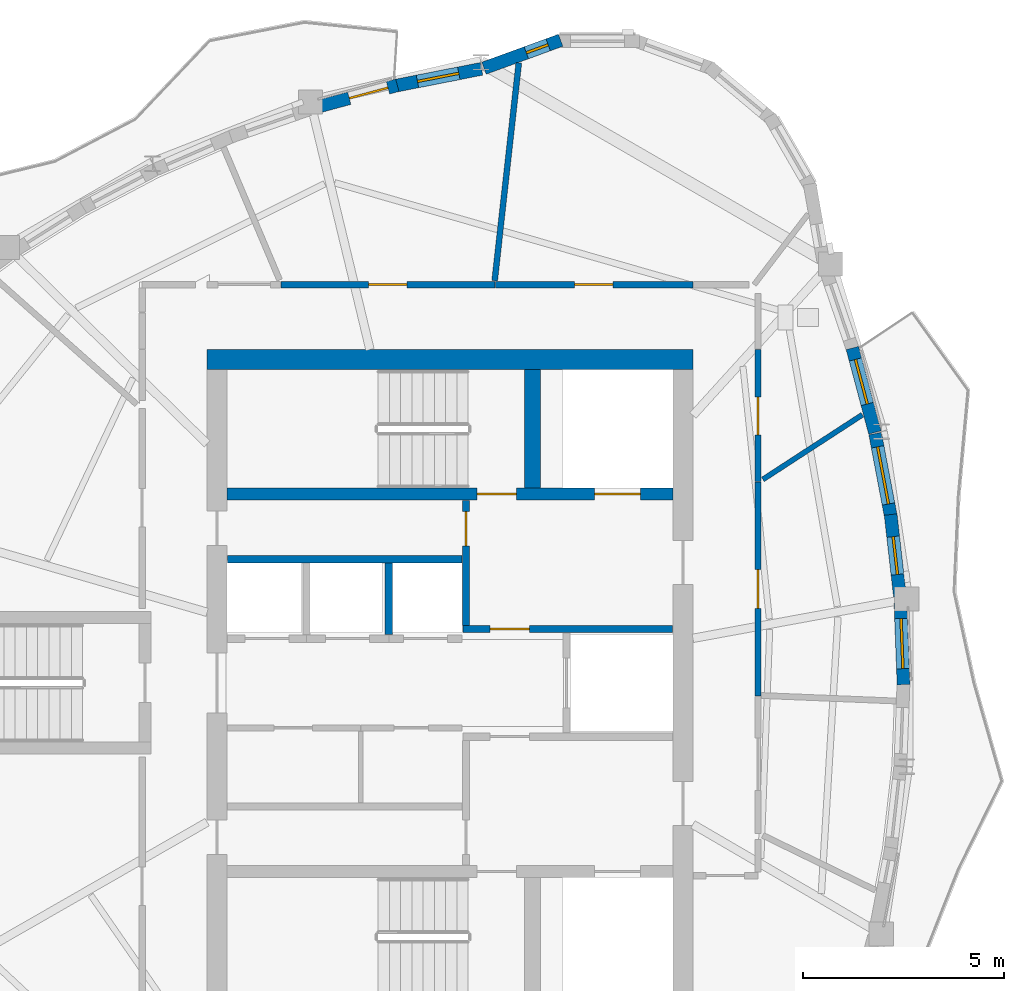
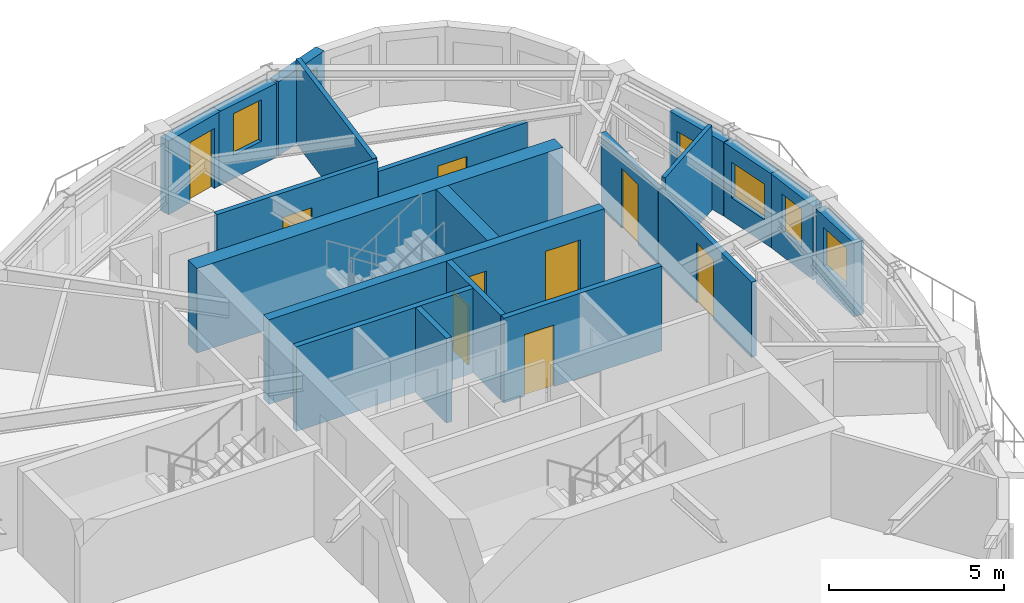
# One storey, part 6 of 11: 20 walls, 9 doors, 6 windows, 15 openings.
"""IFC4 building model written with IfcOpenShell, lengths in metres."""

from ifc_helpers import new_model, si_unit, direction, frame, frame_2d, origin, place, context, subcontext, project, spatial, rectangle, extrude, source, transform, mapped, material, layer, layer_set, type_object, element, fill, save


model = new_model("IFC4")

# Units and contexts
model_context = context("Model", 3, precision=1e-05, world=origin(), true_north=direction((0.0, 1.0)))
body_context = subcontext(model_context, "Body", "Model", "MODEL_VIEW")
ifc_project = project(units=[si_unit("LENGTHUNIT", "METRE"), si_unit("AREAUNIT", "SQUARE_METRE"), si_unit("VOLUMEUNIT", "CUBIC_METRE"), si_unit("PLANEANGLEUNIT", "RADIAN"), si_unit("MASSUNIT", "GRAM", prefix="KILO")], contexts=[model_context])

# Site, building, storey
site_placement = place(None, origin())
site = spatial("IfcSite", under=ifc_project, at=site_placement, CompositionType="ELEMENT")
building_placement = place(site_placement, origin())
building = spatial("IfcBuilding", under=site, at=building_placement, Name="Qafzar Sky-Pleat Residences", CompositionType="ELEMENT")
storey_placement = place(building_placement, frame((0.0, 0.0, 227.60009765625)))
storey = spatial("IfcBuildingStorey", under=building, at=storey_placement, Name="L68", CompositionType="ELEMENT", Elevation=227.60009765625)

# Wall, opening, door
ifc_material_1 = material(Name="Acoustic gypsum plasterboard partition", Category="gypsum")
ifc_layer_1 = layer(ifc_material_1, 0.159912109375)
ifc_layer_set_1 = layer_set([ifc_layer_1], Name="Acoustic gypsum plasterboard partition")
wall_type_1 = type_object("IfcWallType", Name="PART-COR-160", PredefinedType="PARTITIONING", material=ifc_layer_set_1)
wall_1_placement = place(storey_placement, frame((38.02001953125, 31.006103515625, 0.0), z_axis=(0.0, 0.0, 1.0), x_axis=(0.0, -1.0, 0.0)))
wall_1 = element("IfcWall", 1, at=wall_1_placement, inside=storey, type_object=wall_type_1, Name="L68 Partition Wall PART-L68-PW-002", PredefinedType="PARTITIONING", context=body_context, shape_type="SweptSolid", body=[
    extrude(rectangle(XDim=5.33203125, YDim=0.159912109375, at=frame_2d((2.666015625, 0.0))), origin(), (0.0, 0.0, 1.0), 2.6279296875),
])
opening_1_placement = place(wall_1_placement, frame((2.1875, 0.0, 0.0)))
opening_1 = element("IfcOpeningElement", 2, at=opening_1_placement, cuts=wall_1, Name="Opening ID-06", PredefinedType="OPENING", context=body_context, shape_type="SweptSolid", body=[
    extrude(rectangle(XDim=0.9599609375, YDim=2.10009765625, at=frame_2d((0.47998046875, 1.050048828125))), frame((0.0, 0.08984375, 0.0), z_axis=(0.0, -1.0, 0.0), x_axis=(1.0, 0.0, 0.0)), (0.0, 0.0, 1.0), 0.179931640625),
])
ifc_material_2 = material(Name="Timber-faced fire door", Category="wood")
door_type_1 = type_object("IfcDoorType", Name="DR-STD-960", OperationType="NOTDEFINED", PredefinedType="DOOR", material=ifc_material_2)
shared_shape_1 = source(origin(), body_context, "Body", "SweptSolid", [
    extrude(rectangle(XDim=0.9599609375, YDim=2.10009765625, at=frame_2d((0.47998046875, 1.050048828125))), frame((0.0, 0.02490234375, 0.0), z_axis=(0.0, -1.0, 0.0), x_axis=(1.0, 0.0, 0.0)), (0.0, 0.0, 1.0), 0.050048828125),
])
door_1_placement = place(opening_1_placement, origin())
door_1 = element("IfcDoor", 3, at=door_1_placement, inside=storey, type_object=door_type_1, Name="L68 Music Practice Room Door", OperationType="SINGLE_SWING_LEFT", OverallHeight=2.10009765625, OverallWidth=0.9599609375, PredefinedType="DOOR", context=body_context, shape_type="MappedRepresentation", body=[
    mapped(shared_shape_1, transform((0.0, 0.0, 0.0), x_axis=(1.0, 0.0, 0.0), y_axis=(0.0, 1.0, 0.0), z_axis=(0.0, 0.0, 1.0), scale=1.0)),
])
fill(opening_1, door_1)

wall_2_placement = place(storey_placement, frame((26.137939453125, 35.919921875, 0.0), z_axis=(0.0, 0.0, 1.0), x_axis=(1.0, 0.0, 0.0)))
wall_2 = element("IfcWall", 4, at=wall_2_placement, inside=storey, type_object=wall_type_1, Name="L68 Partition Wall PART-L68-PW-003", PredefinedType="PARTITIONING", context=body_context, shape_type="SweptSolid", body=[
    extrude(rectangle(XDim=5.328125, YDim=0.159912109375, at=frame_2d((2.6640625, 0.0))), origin(), (0.0, 0.0, 1.0), 2.9599609375),
])
opening_2_placement = place(wall_2_placement, frame((2.1845703125, 0.0, 0.0)))
opening_2 = element("IfcOpeningElement", 5, at=opening_2_placement, cuts=wall_2, Name="Opening ID-06", PredefinedType="OPENING", context=body_context, shape_type="SweptSolid", body=[
    extrude(rectangle(XDim=0.9599609375, YDim=2.10009765625, at=frame_2d((0.47998046875, 1.050048828125))), frame((0.0, 0.08984375, 0.0), z_axis=(0.0, -1.0, 0.0), x_axis=(1.0, 0.0, 0.0)), (0.0, 0.0, 1.0), 0.179931640625),
])
door_2_placement = place(opening_2_placement, origin())
door_2 = element("IfcDoor", 6, at=door_2_placement, inside=storey, type_object=door_type_1, Name="L68 Media Screening Room Door", OperationType="SINGLE_SWING_RIGHT", OverallHeight=2.10009765625, OverallWidth=0.9599609375, PredefinedType="DOOR", context=body_context, shape_type="MappedRepresentation", body=[
    mapped(shared_shape_1, transform((0.0, 0.0, 0.0), x_axis=(1.0, 0.0, 0.0), y_axis=(0.0, 1.0, 0.0), z_axis=(0.0, 0.0, 1.0), scale=1.0)),
])
fill(opening_2, door_2)

wall_3_placement = place(storey_placement, frame((31.48095703125, 35.919921875, 0.0), z_axis=(0.0, 0.0, 1.0), x_axis=(1.0, 0.0, 0.0)))
wall_3 = element("IfcWall", 7, at=wall_3_placement, inside=storey, type_object=wall_type_1, Name="L68 Partition Wall PART-L68-PW-005", PredefinedType="PARTITIONING", context=body_context, shape_type="SweptSolid", body=[
    extrude(rectangle(XDim=4.9189453125, YDim=0.159912109375, at=frame_2d((2.45947265625, 0.0))), origin(), (0.0, 0.0, 1.0), 2.597900390625),
])
opening_3_placement = place(wall_3_placement, frame((1.964599609375, 0.0, 0.0)))
opening_3 = element("IfcOpeningElement", 8, at=opening_3_placement, cuts=wall_3, Name="Opening ID-06", PredefinedType="OPENING", context=body_context, shape_type="SweptSolid", body=[
    extrude(rectangle(XDim=0.9599609375, YDim=2.10009765625, at=frame_2d((0.47998046875, 1.050048828125))), frame((0.0, 0.08984375, 0.0), z_axis=(0.0, -1.0, 0.0), x_axis=(1.0, 0.0, 0.0)), (0.0, 0.0, 1.0), 0.179931640625),
])
door_3_placement = place(opening_3_placement, origin())
door_3 = element("IfcDoor", 9, at=door_3_placement, inside=storey, type_object=door_type_1, Name="L68 Wellness Yoga Studio Door", OperationType="SINGLE_SWING_RIGHT", OverallHeight=2.10009765625, OverallWidth=0.9599609375, PredefinedType="DOOR", context=body_context, shape_type="MappedRepresentation", body=[
    mapped(shared_shape_1, transform((0.0, 0.0, 0.0), x_axis=(1.0, 0.0, 0.0), y_axis=(0.0, 1.0, 0.0), z_axis=(0.0, 0.0, 1.0), scale=1.0)),
])
fill(opening_3, door_3)

wall_4_placement = place(storey_placement, frame((38.02001953125, 34.300048828125, 0.0), z_axis=(0.0, 0.0, 1.0), x_axis=(0.0, -1.0, 0.0)))
wall_4 = element("IfcWall", 10, at=wall_4_placement, inside=storey, type_object=wall_type_1, Name="L68 Partition Wall PART-L68-PW-007", PredefinedType="PARTITIONING", context=body_context, shape_type="SweptSolid", body=[
    extrude(rectangle(XDim=3.279052734375, YDim=0.159912109375, at=frame_2d((1.6396484375, 0.0))), origin(), (0.0, 0.0, 1.0), 2.6279296875),
])
opening_4_placement = place(wall_4_placement, frame((1.180908203125, 0.0, 0.0)))
opening_4 = element("IfcOpeningElement", 11, at=opening_4_placement, cuts=wall_4, Name="Opening ID-08", PredefinedType="OPENING", context=body_context, shape_type="SweptSolid", body=[
    extrude(rectangle(XDim=0.949951171875, YDim=2.10009765625, at=frame_2d((0.47509765625, 1.050048828125))), frame((0.0, 0.08984375, 0.0), z_axis=(0.0, -1.0, 0.0), x_axis=(1.0, 0.0, 0.0)), (0.0, 0.0, 1.0), 0.179931640625),
])
door_type_2 = type_object("IfcDoorType", Name="DR-AWC-950", OperationType="NOTDEFINED", PredefinedType="DOOR", material=ifc_material_2)
shared_shape_2 = source(origin(), body_context, "Body", "SweptSolid", [
    extrude(rectangle(XDim=0.949951171875, YDim=2.10009765625, at=frame_2d((0.47509765625, 1.050048828125))), frame((0.0, 0.02490234375, 0.0), z_axis=(0.0, -1.0, 0.0), x_axis=(1.0, 0.0, 0.0)), (0.0, 0.0, 1.0), 0.050048828125),
])
door_4_placement = place(opening_4_placement, origin())
door_4 = element("IfcDoor", 12, at=door_4_placement, inside=storey, type_object=door_type_2, Name="L68 Accessible Shared Washroom Door", OperationType="SINGLE_SWING_LEFT", OverallHeight=2.10009765625, OverallWidth=0.949951171875, PredefinedType="DOOR", context=body_context, shape_type="MappedRepresentation", body=[
    mapped(shared_shape_2, transform((0.0, 0.0, 0.0), x_axis=(1.0, 0.0, 0.0), y_axis=(0.0, 1.0, 0.0), z_axis=(0.0, 0.0, 1.0), scale=1.0)),
])
fill(opening_4, door_4)

ifc_material_3 = material(Name="Concrete blockwork partition", Category="masonry")
ifc_layer_2 = layer(ifc_material_3, 0.179931640625)
ifc_layer_set_2 = layer_set([ifc_layer_2], Name="Concrete blockwork partition")
wall_type_2 = type_object("IfcWallType", Name="PART-SHAFT-180", PredefinedType="PARTITIONING", material=ifc_layer_set_2)
wall_5_placement = place(storey_placement, frame((30.75, 27.429931640625, 0.0), z_axis=(0.0, 0.0, 1.0), x_axis=(0.0, 1.0, 0.0)))
wall_5 = element("IfcWall", 13, at=wall_5_placement, inside=storey, type_object=wall_type_2, Name="L68 Partition Wall PART-L68-FFL2-W", PredefinedType="PARTITIONING", context=body_context, shape_type="SweptSolid", body=[
    extrude(rectangle(XDim=3.110107421875, YDim=0.179931640625, at=frame_2d((1.55517578125, 0.0))), origin(), (0.0, 0.0, 1.0), 2.9599609375),
])
opening_5_placement = place(wall_5_placement, frame((1.97998046875, 0.0, 0.0)))
opening_5 = element("IfcOpeningElement", 14, at=opening_5_placement, cuts=wall_5, Name="Opening ID-09", PredefinedType="OPENING", context=body_context, shape_type="SweptSolid", body=[
    extrude(rectangle(XDim=0.860107421875, YDim=2.050048828125, at=frame_2d((0.43017578125, 1.02490234375))), frame((0.0, 0.10009765625, 0.0), z_axis=(0.0, -1.0, 0.0), x_axis=(1.0, 0.0, 0.0)), (0.0, 0.0, 1.0), 0.199951171875),
])
door_type_3 = type_object("IfcDoorType", Name="DR-SVC-860", OperationType="NOTDEFINED", PredefinedType="DOOR", material=ifc_material_2)
shared_shape_3 = source(origin(), body_context, "Body", "SweptSolid", [
    extrude(rectangle(XDim=0.860107421875, YDim=2.050048828125, at=frame_2d((0.43017578125, 1.02490234375))), frame((0.0, 0.02490234375, 0.0), z_axis=(0.0, -1.0, 0.0), x_axis=(1.0, 0.0, 0.0)), (0.0, 0.0, 1.0), 0.050048828125),
])
door_5_placement = place(opening_5_placement, origin())
door_5 = element("IfcDoor", 15, at=door_5_placement, inside=storey, type_object=door_type_3, Name="L68 North Core Cupboard Door", OperationType="SINGLE_SWING_RIGHT", OverallHeight=2.050048828125, OverallWidth=0.860107421875, PredefinedType="DOOR", context=body_context, shape_type="MappedRepresentation", body=[
    mapped(shared_shape_3, transform((0.0, 0.0, 0.0), x_axis=(1.0, 0.0, 0.0), y_axis=(0.0, 1.0, 0.0), z_axis=(0.0, 0.0, 1.0), scale=1.0)),
])
fill(opening_5, door_5)

wall_6_placement = place(storey_placement, frame((30.669921875, 27.340087890625, 0.0), z_axis=(0.0, 0.0, 1.0), x_axis=(1.0, 0.0, 0.0)))
wall_6 = element("IfcWall", 16, at=wall_6_placement, inside=storey, type_object=wall_type_2, Name="L68 Partition Wall PART-L68-FFL2-S", PredefinedType="PARTITIONING", context=body_context, shape_type="SweptSolid", body=[
    extrude(rectangle(XDim=5.219970703125, YDim=0.179931640625, at=frame_2d((2.60986328125, 0.0))), origin(), (0.0, 0.0, 1.0), 2.9599609375),
])
opening_6_placement = place(wall_6_placement, frame((0.679931640625, 0.0, 0.0)))
opening_6 = element("IfcOpeningElement", 17, at=opening_6_placement, cuts=wall_6, Name="Opening ID-01", PredefinedType="OPENING", context=body_context, shape_type="SweptSolid", body=[
    extrude(rectangle(XDim=0.97998046875, YDim=2.14990234375, at=frame_2d((0.489990234375, 1.074951171875))), frame((0.0, 0.10009765625, 0.0), z_axis=(0.0, -1.0, 0.0), x_axis=(1.0, 0.0, 0.0)), (0.0, 0.0, 1.0), 0.199951171875),
])
door_type_4 = type_object("IfcDoorType", Name="DR-STAIR-980", OperationType="NOTDEFINED", PredefinedType="DOOR", material=ifc_material_2)
shared_shape_4 = source(origin(), body_context, "Body", "SweptSolid", [
    extrude(rectangle(XDim=0.97998046875, YDim=2.14990234375, at=frame_2d((0.489990234375, 1.074951171875))), frame((0.0, 0.02490234375, 0.0), z_axis=(0.0, -1.0, 0.0), x_axis=(1.0, 0.0, 0.0)), (0.0, 0.0, 1.0), 0.050048828125),
])
door_6_placement = place(opening_6_placement, origin())
door_6 = element("IfcDoor", 18, at=door_6_placement, inside=storey, type_object=door_type_4, Name="L68 Lift Lobby to North Firefighting Lobby Door", OperationType="SINGLE_SWING_LEFT", OverallHeight=2.14990234375, OverallWidth=0.97998046875, PredefinedType="DOOR", context=body_context, shape_type="MappedRepresentation", body=[
    mapped(shared_shape_4, transform((0.0, 0.0, 0.0), x_axis=(1.0, 0.0, 0.0), y_axis=(0.0, 1.0, 0.0), z_axis=(0.0, 0.0, 1.0), scale=1.0)),
])
fill(opening_6, door_6)

# Walls
wall_7_placement = place(storey_placement, frame((24.81005859375, 29.080078125, 0.0), z_axis=(0.0, 0.0, 1.0), x_axis=(1.0, 0.0, 0.0)))
element("IfcWall", 19, at=wall_7_placement, inside=storey, type_object=wall_type_2, Name="L68 Partition Wall PART-L68-P46-N", PredefinedType="PARTITIONING", context=body_context, shape_type="SweptSolid", body=[
    extrude(rectangle(XDim=5.83984375, YDim=0.179931640625, at=frame_2d((2.919921875, 0.0))), origin(), (0.0, 0.0, 1.0), 2.9599609375),
])
wall_8_placement = place(storey_placement, frame((28.824951171875, 27.199951171875, 0.0), z_axis=(0.0, 0.0, 1.0), x_axis=(0.0, 1.0, 0.0)))
element("IfcWall", 20, at=wall_8_placement, inside=storey, type_object=wall_type_2, Name="L68 Partition Wall PART-L68-P46-DIV-2", PredefinedType="PARTITIONING", context=body_context, shape_type="SweptSolid", body=[
    extrude(rectangle(XDim=1.780029296875, YDim=0.179931640625, at=frame_2d((0.89013671875, 0.0))), origin(), (0.0, 0.0, 1.0), 2.9599609375),
])
ifc_layer_3 = layer(ifc_material_1, 0.14501953125)
ifc_layer_set_3 = layer_set([ifc_layer_3], Name="Acoustic gypsum plasterboard partition")
wall_type_3 = type_object("IfcWallType", Name="PART-UNIT-145", PredefinedType="PARTITIONING", material=ifc_layer_set_3)
wall_9_placement = place(storey_placement, frame((31.461669921875, 36.015869140625, 0.0), z_axis=(0.0, 0.0, 1.0), x_axis=(0.11018132109, 0.993911503346, 0.0)))
element("IfcWall", 21, at=wall_9_placement, inside=storey, type_object=wall_type_3, Name="L68 Partition Wall PART-L68-PW-012", PredefinedType="PARTITIONING", context=body_context, shape_type="SweptSolid", body=[
    extrude(rectangle(XDim=5.4619140625, YDim=0.14501953125, at=frame_2d((2.73095703125, 0.0))), origin(), (0.0, 0.0, 1.0), 2.9599609375),
])
ifc_material_4 = material(Name="Moisture-resistant gypsum partition", Category="gypsum")
ifc_layer_4 = layer(ifc_material_4, 0.1298828125)
ifc_layer_set_4 = layer_set([ifc_layer_4], Name="Moisture-resistant gypsum partition")
wall_type_4 = type_object("IfcWallType", Name="PART-WET-130", PredefinedType="PARTITIONING", material=ifc_layer_set_4)
wall_10_placement = place(storey_placement, frame((38.14208984375, 31.0673828125, 0.0), z_axis=(0.0, 0.0, 1.0), x_axis=(0.838351109823, 0.545130641827, 0.0)))
element("IfcWall", 22, at=wall_10_placement, inside=storey, type_object=wall_type_4, Name="L68 Partition Wall PART-L68-PW-019", PredefinedType="PARTITIONING", context=body_context, shape_type="SweptSolid", body=[
    extrude(rectangle(XDim=2.955078125, YDim=0.1298828125, at=frame_2d((1.4775390625, 0.0))), origin(), (0.0, 0.0, 1.0), 2.9599609375),
])

# Wall, opening, window
ifc_material_5 = material(Name="Precast concrete C40/50 with honed Riyadh limestone", Category="concrete")
ifc_layer_5 = layer(ifc_material_5, 0.320068359375)
ifc_layer_set_5 = layer_set([ifc_layer_5], Name="Precast concrete C40/50 with honed Riyadh limestone")
wall_type_5 = type_object("IfcWallType", Name="WALL-EXT-320", PredefinedType="SOLIDWALL", material=ifc_layer_set_5)
wall_11_placement = place(storey_placement, frame((41.64599609375, 25.9560546875, 0.0), z_axis=(0.0, 0.0, 1.0), x_axis=(-0.038018581285, 0.999277032397, 0.0)))
wall_11 = element("IfcWall", 23, at=wall_11_placement, inside=storey, type_object=wall_type_5, Name="L68 Limestone Facade Wall 28", PredefinedType="SOLIDWALL", context=body_context, shape_type="SweptSolid", body=[
    extrude(rectangle(XDim=2.03564453125, YDim=0.320068359375, at=frame_2d((1.017822265625, 0.0))), origin(), (0.0, 0.0, 1.0), 2.579833984375),
])
opening_7_placement = place(wall_11_placement, frame((0.39794921875, 0.0, 0.820068359375)))
opening_7 = element("IfcOpeningElement", 24, at=opening_7_placement, cuts=wall_11, Name="Opening WN-11", PredefinedType="OPENING", context=body_context, shape_type="SweptSolid", body=[
    extrude(rectangle(XDim=1.25, YDim=1.35009765625, at=frame_2d((0.625, 0.675048828125))), frame((0.0, 0.169921875, 0.0), z_axis=(0.0, -1.0, 0.0), x_axis=(1.0, 0.0, 0.0)), (0.0, 0.0, 1.0), 0.340087890625),
])
ifc_material_6 = material(Name="Solar-control low-E glass in bronze aluminium frame", Category="glass")
window_type_1 = type_object("IfcWindowType", Name="WIN-11", PartitioningType="SINGLE_PANEL", PredefinedType="WINDOW", material=ifc_material_6)
shared_shape_5 = source(origin(), body_context, "Body", "SweptSolid", [
    extrude(rectangle(XDim=1.25, YDim=1.35009765625, at=frame_2d((0.625, 0.675048828125))), frame((0.0, 0.030029296875, 0.0), z_axis=(0.0, -1.0, 0.0), x_axis=(1.0, 0.0, 0.0)), (0.0, 0.0, 1.0), 0.06005859375),
])
window_1_placement = place(opening_7_placement, origin())
window_1 = element("IfcWindow", 25, at=window_1_placement, inside=storey, type_object=window_type_1, Name="L68 Punched Facade Window 28", OverallHeight=1.35009765625, OverallWidth=1.25, PartitioningType="SINGLE_PANEL", PredefinedType="WINDOW", context=body_context, shape_type="MappedRepresentation", body=[
    mapped(shared_shape_5, transform((0.0, 0.0, 0.0), x_axis=(1.0, 0.0, 0.0), y_axis=(0.0, 1.0, 0.0), z_axis=(0.0, 0.0, 1.0), scale=1.0)),
])
fill(opening_7, window_1)

wall_12_placement = place(storey_placement, frame((41.555908203125, 28.15771484375, 0.0), z_axis=(0.0, 0.0, 1.0), x_axis=(-0.113270843693, 0.993564147888, 0.0)))
wall_12 = element("IfcWall", 26, at=wall_12_placement, inside=storey, type_object=wall_type_5, Name="L68 Limestone Facade Wall 29", PredefinedType="SOLIDWALL", context=body_context, shape_type="SweptSolid", body=[
    extrude(rectangle(XDim=2.047607421875, YDim=0.320068359375, at=frame_2d((1.02392578125, 0.0))), origin(), (0.0, 0.0, 1.0), 2.579833984375),
])
opening_8_placement = place(wall_12_placement, frame((0.5439453125, 0.0, 0.820068359375)))
opening_8 = element("IfcOpeningElement", 27, at=opening_8_placement, cuts=wall_12, Name="Opening WN-12", PredefinedType="OPENING", context=body_context, shape_type="SweptSolid", body=[
    extrude(rectangle(XDim=0.949951171875, YDim=1.35009765625, at=frame_2d((0.47509765625, 0.675048828125))), frame((0.0, 0.169921875, 0.0), z_axis=(0.0, -1.0, 0.0), x_axis=(1.0, 0.0, 0.0)), (0.0, 0.0, 1.0), 0.340087890625),
])
window_type_2 = type_object("IfcWindowType", Name="WIN-12", PartitioningType="SINGLE_PANEL", PredefinedType="WINDOW", material=ifc_material_6)
shared_shape_6 = source(origin(), body_context, "Body", "SweptSolid", [
    extrude(rectangle(XDim=0.949951171875, YDim=1.35009765625, at=frame_2d((0.47509765625, 0.675048828125))), frame((0.0, 0.030029296875, 0.0), z_axis=(0.0, -1.0, 0.0), x_axis=(1.0, 0.0, 0.0)), (0.0, 0.0, 1.0), 0.06005859375),
])
window_2_placement = place(opening_8_placement, origin())
window_2 = element("IfcWindow", 28, at=window_2_placement, inside=storey, type_object=window_type_2, Name="L68 Punched Facade Window 29", OverallHeight=1.35009765625, OverallWidth=0.949951171875, PartitioningType="SINGLE_PANEL", PredefinedType="WINDOW", context=body_context, shape_type="MappedRepresentation", body=[
    mapped(shared_shape_6, transform((0.0, 0.0, 0.0), x_axis=(1.0, 0.0, 0.0), y_axis=(0.0, 1.0, 0.0), z_axis=(0.0, 0.0, 1.0), scale=1.0)),
])
fill(opening_8, window_2)

wall_13_placement = place(storey_placement, frame((41.337158203125, 30.105224609375, 0.0), z_axis=(0.0, 0.0, 1.0), x_axis=(-0.186614434744, 0.98243323068, 0.0)))
wall_13 = element("IfcWall", 29, at=wall_13_placement, inside=storey, type_object=wall_type_5, Name="L68 Limestone Facade Wall 30", PredefinedType="SOLIDWALL", context=body_context, shape_type="SweptSolid", body=[
    extrude(rectangle(XDim=2.1416015625, YDim=0.320068359375, at=frame_2d((1.07080078125, 0.0))), origin(), (0.0, 0.0, 1.0), 2.579833984375),
])
opening_9_placement = place(wall_13_placement, frame((0.355712890625, 0.0, 0.820068359375)))
opening_9 = element("IfcOpeningElement", 30, at=opening_9_placement, cuts=wall_13, Name="Opening WN-15", PredefinedType="OPENING", context=body_context, shape_type="SweptSolid", body=[
    extrude(rectangle(XDim=1.449951171875, YDim=1.25, at=frame_2d((0.72509765625, 0.625))), frame((0.0, 0.169921875, 0.0), z_axis=(0.0, -1.0, 0.0), x_axis=(1.0, 0.0, 0.0)), (0.0, 0.0, 1.0), 0.340087890625),
])
window_type_3 = type_object("IfcWindowType", Name="WIN-15", PartitioningType="SINGLE_PANEL", PredefinedType="WINDOW", material=ifc_material_6)
shared_shape_7 = source(origin(), body_context, "Body", "SweptSolid", [
    extrude(rectangle(XDim=1.449951171875, YDim=1.25, at=frame_2d((0.72509765625, 0.625))), frame((0.0, 0.030029296875, 0.0), z_axis=(0.0, -1.0, 0.0), x_axis=(1.0, 0.0, 0.0)), (0.0, 0.0, 1.0), 0.06005859375),
])
window_3_placement = place(opening_9_placement, origin())
window_3 = element("IfcWindow", 31, at=window_3_placement, inside=storey, type_object=window_type_3, Name="L68 Punched Facade Window 30", OverallHeight=1.25, OverallWidth=1.449951171875, PartitioningType="SINGLE_PANEL", PredefinedType="WINDOW", context=body_context, shape_type="MappedRepresentation", body=[
    mapped(shared_shape_7, transform((0.0, 0.0, 0.0), x_axis=(1.0, 0.0, 0.0), y_axis=(0.0, 1.0, 0.0), z_axis=(0.0, 0.0, 1.0), scale=1.0)),
])
fill(opening_9, window_3)

wall_14_placement = place(storey_placement, frame((40.93115234375, 32.237060546875, 0.0), z_axis=(0.0, 0.0, 1.0), x_axis=(-0.257076193941, 0.966391137433, 0.0)))
wall_14 = element("IfcWall", 32, at=wall_14_placement, inside=storey, type_object=wall_type_5, Name="L68 Limestone Facade Wall 31", PredefinedType="SOLIDWALL", context=body_context, shape_type="SweptSolid", body=[
    extrude(rectangle(XDim=2.1767578125, YDim=0.320068359375, at=frame_2d((1.08837890625, 0.0))), origin(), (0.0, 0.0, 1.0), 2.579833984375),
])
opening_10_placement = place(wall_14_placement, frame((0.73291015625, 0.0, 0.820068359375)))
opening_10 = element("IfcOpeningElement", 33, at=opening_10_placement, cuts=wall_14, Name="Opening WN-16", PredefinedType="OPENING", context=body_context, shape_type="SweptSolid", body=[
    extrude(rectangle(XDim=1.14990234375, YDim=1.199951171875, at=frame_2d((0.574951171875, 0.60009765625))), frame((0.0, 0.169921875, 0.0), z_axis=(0.0, -1.0, 0.0), x_axis=(1.0, 0.0, 0.0)), (0.0, 0.0, 1.0), 0.340087890625),
])
window_type_4 = type_object("IfcWindowType", Name="WIN-16", PartitioningType="SINGLE_PANEL", PredefinedType="WINDOW", material=ifc_material_6)
shared_shape_8 = source(origin(), body_context, "Body", "SweptSolid", [
    extrude(rectangle(XDim=1.14990234375, YDim=1.199951171875, at=frame_2d((0.574951171875, 0.60009765625))), frame((0.0, 0.030029296875, 0.0), z_axis=(0.0, -1.0, 0.0), x_axis=(1.0, 0.0, 0.0)), (0.0, 0.0, 1.0), 0.06005859375),
])
window_4_placement = place(opening_10_placement, origin())
window_4 = element("IfcWindow", 34, at=window_4_placement, inside=storey, type_object=window_type_4, Name="L68 Punched Facade Window 31-2", OverallHeight=1.199951171875, OverallWidth=1.14990234375, PartitioningType="SINGLE_PANEL", PredefinedType="WINDOW", context=body_context, shape_type="MappedRepresentation", body=[
    mapped(shared_shape_8, transform((0.0, 0.0, 0.0), x_axis=(1.0, 0.0, 0.0), y_axis=(0.0, 1.0, 0.0), z_axis=(0.0, 0.0, 1.0), scale=1.0)),
])
fill(opening_10, window_4)

wall_15_placement = place(storey_placement, frame((33.105712890625, 42.005859375, 0.0), z_axis=(0.0, 0.0, 1.0), x_axis=(-0.939691662178, -0.342022777067, 0.0)))
wall_15 = element("IfcWall", 35, at=wall_15_placement, inside=storey, type_object=wall_type_5, Name="L68 Limestone Facade Wall 38", PredefinedType="SOLIDWALL", context=body_context, shape_type="SweptSolid", body=[
    extrude(rectangle(XDim=2.0322265625, YDim=0.320068359375, at=frame_2d((1.01611328125, 0.0))), origin(), (0.0, 0.0, 1.0), 2.579833984375),
])
opening_11_placement = place(wall_15_placement, frame((0.330322265625, 0.0, 0.820068359375)))
opening_11 = element("IfcOpeningElement", 36, at=opening_11_placement, cuts=wall_15, Name="Opening WN-17", PredefinedType="OPENING", context=body_context, shape_type="SweptSolid", body=[
    extrude(rectangle(XDim=0.580078125, YDim=1.35009765625, at=frame_2d((0.2900390625, 0.675048828125))), frame((0.0, 0.169921875, 0.0), z_axis=(0.0, -1.0, 0.0), x_axis=(1.0, 0.0, 0.0)), (0.0, 0.0, 1.0), 0.340087890625),
])
window_type_5 = type_object("IfcWindowType", Name="WIN-17", PartitioningType="SINGLE_PANEL", PredefinedType="WINDOW", material=ifc_material_6)
shared_shape_9 = source(origin(), body_context, "Body", "SweptSolid", [
    extrude(rectangle(XDim=0.580078125, YDim=1.35009765625, at=frame_2d((0.2900390625, 0.675048828125))), frame((0.0, 0.030029296875, 0.0), z_axis=(0.0, -1.0, 0.0), x_axis=(1.0, 0.0, 0.0)), (0.0, 0.0, 1.0), 0.06005859375),
])
window_5_placement = place(opening_11_placement, origin())
window_5 = element("IfcWindow", 37, at=window_5_placement, inside=storey, type_object=window_type_5, Name="L68 Punched Facade Window 38", OverallHeight=1.35009765625, OverallWidth=0.580078125, PartitioningType="SINGLE_PANEL", PredefinedType="WINDOW", context=body_context, shape_type="MappedRepresentation", body=[
    mapped(shared_shape_9, transform((0.0, 0.0, 0.0), x_axis=(1.0, 0.0, 0.0), y_axis=(0.0, 1.0, 0.0), z_axis=(0.0, 0.0, 1.0), scale=1.0)),
])
fill(opening_11, window_5)

wall_16_placement = place(storey_placement, frame((31.1337890625, 41.293212890625, 0.0), z_axis=(0.0, 0.0, 1.0), x_axis=(-0.981246594798, -0.19275663464, 0.0)))
wall_16 = element("IfcWall", 38, at=wall_16_placement, inside=storey, type_object=wall_type_5, Name="L68 Limestone Facade Wall 39", PredefinedType="SOLIDWALL", context=body_context, shape_type="SweptSolid", body=[
    extrude(rectangle(XDim=2.222900390625, YDim=0.320068359375, at=frame_2d((1.111328125, 0.0))), origin(), (0.0, 0.0, 1.0), 2.579833984375),
])
opening_12_placement = place(wall_16_placement, frame((0.576416015625, 0.0, 0.820068359375)))
opening_12 = element("IfcOpeningElement", 39, at=opening_12_placement, cuts=wall_16, Name="Opening WN-06", PredefinedType="OPENING", context=body_context, shape_type="SweptSolid", body=[
    extrude(rectangle(XDim=1.050048828125, YDim=1.449951171875, at=frame_2d((0.52490234375, 0.72509765625))), frame((0.0, 0.169921875, 0.0), z_axis=(0.0, -1.0, 0.0), x_axis=(1.0, 0.0, 0.0)), (0.0, 0.0, 1.0), 0.340087890625),
])
window_type_6 = type_object("IfcWindowType", Name="WIN-06", PartitioningType="SINGLE_PANEL", PredefinedType="WINDOW", material=ifc_material_6)
shared_shape_10 = source(origin(), body_context, "Body", "SweptSolid", [
    extrude(rectangle(XDim=1.050048828125, YDim=1.449951171875, at=frame_2d((0.52490234375, 0.72509765625))), frame((0.0, 0.030029296875, 0.0), z_axis=(0.0, -1.0, 0.0), x_axis=(1.0, 0.0, 0.0)), (0.0, 0.0, 1.0), 0.06005859375),
])
window_6_placement = place(opening_12_placement, origin())
window_6 = element("IfcWindow", 40, at=window_6_placement, inside=storey, type_object=window_type_6, Name="L68 Punched Facade Window 39", OverallHeight=1.449951171875, OverallWidth=1.050048828125, PartitioningType="SINGLE_PANEL", PredefinedType="WINDOW", context=body_context, shape_type="MappedRepresentation", body=[
    mapped(shared_shape_10, transform((0.0, 0.0, 0.0), x_axis=(1.0, 0.0, 0.0), y_axis=(0.0, 1.0, 0.0), z_axis=(0.0, 0.0, 1.0), scale=1.0)),
])
fill(opening_12, window_6)

# Wall, opening, door
wall_17_placement = place(storey_placement, frame((29.037353515625, 40.884521484375, 0.0), z_axis=(0.0, 0.0, 1.0), x_axis=(-0.965439872052, -0.260625887918, 0.0)))
wall_17 = element("IfcWall", 41, at=wall_17_placement, inside=storey, type_object=wall_type_5, Name="L68 Limestone Facade Wall 40", PredefinedType="SOLIDWALL", context=body_context, shape_type="SweptSolid", body=[
    extrude(rectangle(XDim=2.106689453125, YDim=0.320068359375, at=frame_2d((1.05322265625, 0.0))), origin(), (0.0, 0.0, 1.0), 2.579833984375),
])
opening_13_placement = place(wall_17_placement, frame((0.239990234375, 0.0, 0.0)))
opening_13 = element("IfcOpeningElement", 42, at=opening_13_placement, cuts=wall_17, Name="Opening ED-05", PredefinedType="OPENING", context=body_context, shape_type="SweptSolid", body=[
    extrude(rectangle(XDim=1.0, YDim=2.10009765625, at=frame_2d((0.5, 1.050048828125))), frame((0.0, 0.169921875, 0.0), z_axis=(0.0, -1.0, 0.0), x_axis=(1.0, 0.0, 0.0)), (0.0, 0.0, 1.0), 0.340087890625),
])
ifc_material_7 = material(Name="Glazed bronze aluminium door", Category="aluminium")
door_type_5 = type_object("IfcDoorType", Name="DR-BAL-1000", OperationType="NOTDEFINED", PredefinedType="DOOR", material=ifc_material_7)
shared_shape_11 = source(origin(), body_context, "Body", "SweptSolid", [
    extrude(rectangle(XDim=1.0, YDim=2.10009765625, at=frame_2d((0.5, 1.050048828125))), frame((0.0, 0.02490234375, 0.0), z_axis=(0.0, -1.0, 0.0), x_axis=(1.0, 0.0, 0.0)), (0.0, 0.0, 1.0), 0.050048828125),
])
door_7_placement = place(opening_13_placement, origin())
door_7 = element("IfcDoor", 43, at=door_7_placement, inside=storey, type_object=door_type_5, Name="L68 Glazed Balcony Door 2", OperationType="SINGLE_SWING_LEFT", OverallHeight=2.10009765625, OverallWidth=1.0, PredefinedType="DOOR", context=body_context, shape_type="MappedRepresentation", body=[
    mapped(shared_shape_11, transform((0.0, 0.0, 0.0), x_axis=(1.0, 0.0, 0.0), y_axis=(0.0, 1.0, 0.0), z_axis=(0.0, 0.0, 1.0), scale=1.0)),
])
fill(opening_13, door_7)

# Wall, openings, doors
ifc_material_8 = material(Name="Concrete C60/75", Category="concrete")
ifc_layer_6 = layer(ifc_material_8, 0.300048828125)
ifc_layer_set_6 = layer_set([ifc_layer_6], Name="Concrete C60/75")
wall_type_6 = type_object("IfcWallType", Name="WALL-SHEAR-300", PredefinedType="SHEAR", material=ifc_layer_set_6)
wall_18_placement = place(storey_placement, frame((24.800048828125, 30.699951171875, 0.0), z_axis=(0.0, 0.0, 1.0), x_axis=(1.0, 0.0, 0.0)))
wall_18 = element("IfcWall", 44, at=wall_18_placement, inside=storey, type_object=wall_type_6, Name="L68 Stair ST2 and FF2 Shaft South Wall", PredefinedType="SHEAR", context=body_context, shape_type="SweptSolid", body=[
    extrude(rectangle(XDim=11.099853515625, YDim=0.300048828125, at=frame_2d((5.5498046875, 0.0))), origin(), (0.0, 0.0, 1.0), 2.9599609375),
])
opening_14_placement = place(wall_18_placement, frame((6.219970703125, 0.0, 0.0)))
opening_14 = element("IfcOpeningElement", 45, at=opening_14_placement, cuts=wall_18, Name="Opening ID-01", PredefinedType="OPENING", context=body_context, shape_type="SweptSolid", body=[
    extrude(rectangle(XDim=0.97998046875, YDim=2.14990234375, at=frame_2d((0.489990234375, 1.074951171875))), frame((0.0, 0.16015625, 0.0), z_axis=(0.0, -1.0, 0.0), x_axis=(1.0, 0.0, 0.0)), (0.0, 0.0, 1.0), 0.320068359375),
])
opening_15_placement = place(wall_18_placement, frame((9.14990234375, 0.0, 0.0)))
opening_15 = element("IfcOpeningElement", 46, at=opening_15_placement, cuts=wall_18, Name="Opening LD-02", PredefinedType="OPENING", context=body_context, shape_type="SweptSolid", body=[
    extrude(rectangle(XDim=1.14990234375, YDim=2.14990234375, at=frame_2d((0.574951171875, 1.074951171875))), frame((0.0, 0.16015625, 0.0), z_axis=(0.0, -1.0, 0.0), x_axis=(1.0, 0.0, 0.0)), (0.0, 0.0, 1.0), 0.320068359375),
])
door_8_placement = place(opening_14_placement, origin())
door_8 = element("IfcDoor", 47, at=door_8_placement, inside=storey, type_object=door_type_4, Name="L68 Stair ST2 Fire Door", OperationType="SINGLE_SWING_RIGHT", OverallHeight=2.14990234375, OverallWidth=0.97998046875, PredefinedType="DOOR", context=body_context, shape_type="MappedRepresentation", body=[
    mapped(shared_shape_4, transform((0.0, 0.0, 0.0), x_axis=(1.0, 0.0, 0.0), y_axis=(0.0, 1.0, 0.0), z_axis=(0.0, 0.0, 1.0), scale=1.0)),
])
fill(opening_14, door_8)
ifc_material_9 = material(Name="Stainless steel sliding landing door", Category="steel")
door_type_6 = type_object("IfcDoorType", Name="DR-LIFT-FF", OperationType="DOUBLE_DOOR_SLIDING", PredefinedType="DOOR", material=ifc_material_9)
shared_shape_12 = source(origin(), body_context, "Body", "SweptSolid", [
    extrude(rectangle(XDim=1.14990234375, YDim=2.14990234375, at=frame_2d((0.574951171875, 1.074951171875))), frame((0.0, 0.02490234375, 0.0), z_axis=(0.0, -1.0, 0.0), x_axis=(1.0, 0.0, 0.0)), (0.0, 0.0, 1.0), 0.050048828125),
])
door_9_placement = place(opening_15_placement, origin())
door_9 = element("IfcDoor", 48, at=door_9_placement, inside=storey, type_object=door_type_6, Name="L68 Firefighting Lift FF2 Landing Door", OperationType="DOUBLE_DOOR_SLIDING", OverallHeight=2.14990234375, OverallWidth=1.14990234375, PredefinedType="DOOR", context=body_context, shape_type="MappedRepresentation", body=[
    mapped(shared_shape_12, transform((0.0, 0.0, 0.0), x_axis=(1.0, 0.0, 0.0), y_axis=(0.0, 1.0, 0.0), z_axis=(0.0, 0.0, 1.0), scale=1.0)),
])
fill(opening_15, door_9)

# Walls
ifc_layer_7 = layer(ifc_material_8, 0.39990234375)
ifc_layer_set_7 = layer_set([ifc_layer_7], Name="Concrete C60/75")
wall_type_7 = type_object("IfcWallType", Name="WALL-SHEAR-400", PredefinedType="SHEAR", material=ifc_layer_set_7)
wall_19_placement = place(storey_placement, frame((32.39990234375, 30.85009765625, 0.0), z_axis=(0.0, 0.0, 1.0), x_axis=(0.0, 1.0, 0.0)))
element("IfcWall", 49, at=wall_19_placement, inside=storey, type_object=wall_type_7, Name="L68 Stair ST2 East Dividing Wall", PredefinedType="SHEAR", context=body_context, shape_type="SweptSolid", body=[
    extrude(rectangle(XDim=2.949951171875, YDim=0.39990234375, at=frame_2d((1.47509765625, 0.0))), origin(), (0.0, 0.0, 1.0), 2.9599609375),
])
ifc_layer_8 = layer(ifc_material_8, 0.5)
ifc_layer_set_8 = layer_set([ifc_layer_8], Name="Concrete C60/75")
wall_type_8 = type_object("IfcWallType", Name="WALL-SHEAR-500", PredefinedType="SHEAR", material=ifc_layer_set_8)
wall_20_placement = place(storey_placement, frame((36.39990234375, 34.050048828125, 0.0), z_axis=(0.0, 0.0, 1.0), x_axis=(-1.0, 0.0, 0.0)))
element("IfcWall", 50, at=wall_20_placement, inside=storey, type_object=wall_type_8, Name="L68 CORE wall N", PredefinedType="SHEAR", context=body_context, shape_type="SweptSolid", body=[
    extrude(rectangle(XDim=12.099853515625, YDim=0.5, at=frame_2d((6.0498046875, 0.0))), origin(), (0.0, 0.0, 1.0), 2.9599609375),
])

save(model, "model.ifc")
